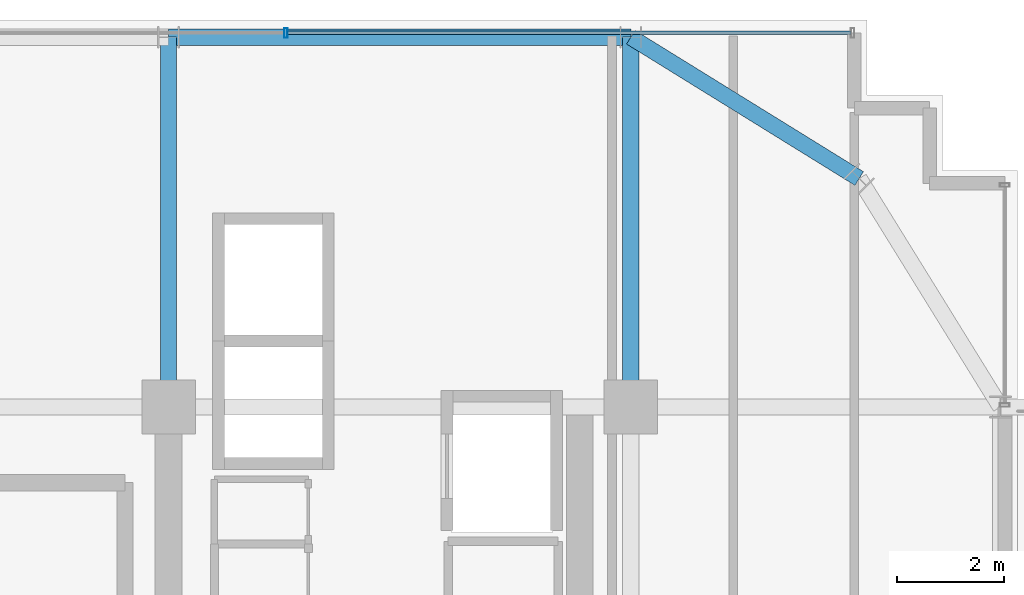
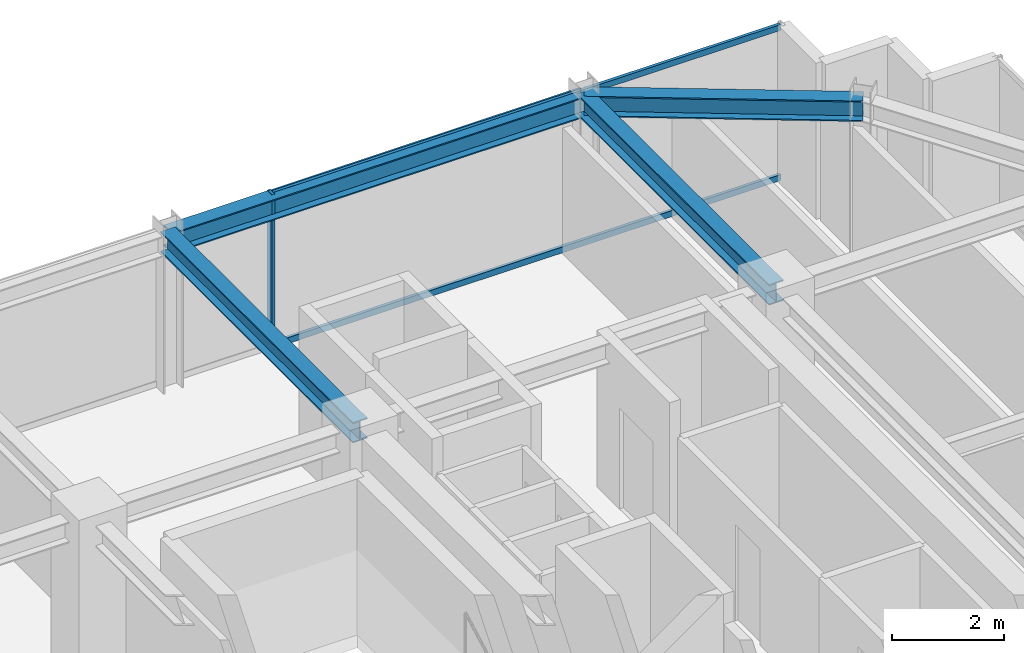
# One storey, part 27 of 36: 4 beams, 3 members, 1 element without a shape of its own.
"""IFC4 building model written with IfcOpenShell, lengths in metres."""

from ifc_helpers import new_model, si_unit, direction, frame, origin, origin_2d, place, context, subcontext, project, spatial, hollow_rectangle, i_section, extrude, source, transform, mapped, material, material_profile, profile_set, type_object, element, aggregate, save


model = new_model("IFC4")

# Units and contexts
model_context = context("Model", 3, precision=1e-05, world=origin(), true_north=direction((0.0, 1.0)))
body_context = subcontext(model_context, "Body", "Model", "MODEL_VIEW")
ifc_project = project(units=[si_unit("LENGTHUNIT", "METRE"), si_unit("AREAUNIT", "SQUARE_METRE"), si_unit("VOLUMEUNIT", "CUBIC_METRE"), si_unit("PLANEANGLEUNIT", "RADIAN"), si_unit("MASSUNIT", "GRAM", prefix="KILO")], contexts=[model_context])

# Site, building, storey
site_placement = place(None, origin())
site = spatial("IfcSite", under=ifc_project, at=site_placement, CompositionType="ELEMENT")
building_placement = place(site_placement, origin())
building = spatial("IfcBuilding", under=site, at=building_placement, Name="Nahalor Promenade Grand Hotel", CompositionType="ELEMENT")
storey_placement = place(building_placement, frame((0.0, 0.0, 223.39990234375)))
storey = spatial("IfcBuildingStorey", under=building, at=storey_placement, Name="L57", CompositionType="ELEMENT", Elevation=223.39990234375)

# Beams
ifc_material_1 = material(Name="Steel S355JR", Category="steel")
ifc_material_profile_1 = material_profile(ifc_material_1, i_section(OverallWidth=0.3, OverallDepth=0.45, WebThickness=0.014, FlangeThickness=0.026, at=origin_2d()), Name="HEB 450")
ifc_profile_set_1 = profile_set([ifc_material_profile_1], Name="Steel S355JR")
beam_type_1 = type_object("IfcBeamType", Name="Beam-Spandrel-HEB450", PredefinedType="SPANDREL", material=ifc_profile_set_1)
shared_shape_1 = source(origin(), body_context, "Body", "SweptSolid", [
    extrude(i_section(OverallWidth=0.3, OverallDepth=0.45, WebThickness=0.014, FlangeThickness=0.026, at=origin_2d()), origin(), (0.0, 0.0, 1.0), 8.60009765625),
])
beam_1_placement = place(storey_placement, frame((8.39990234375, 23.8798828125, 3.18505859375), z_axis=(1.0, 0.0, 0.0), x_axis=(0.0, 1.0, 0.0)))
element("IfcBeam", 1, at=beam_1_placement, inside=storey, type_object=beam_type_1, Name="BM-L57-SP-N-4", PredefinedType="SPANDREL", context=body_context, shape_type="MappedRepresentation", body=[
    mapped(shared_shape_1, transform((0.0, 0.0, 0.0), scale=1.0)),
])
shared_shape_2 = source(origin(), body_context, "Body", "SweptSolid", [
    extrude(i_section(OverallWidth=0.3, OverallDepth=0.45, WebThickness=0.014, FlangeThickness=0.026, at=origin_2d()), origin(), (0.0, 0.0, 1.0), 4.997802734375),
])
beam_2_placement = place(storey_placement, frame((17.0, 23.8798828125, 3.18505859375), z_axis=(0.850360908404, -0.526199891161, 0.0), x_axis=(0.526199891161, 0.850360908404, 0.0)))
element("IfcBeam", 2, at=beam_2_placement, inside=storey, type_object=beam_type_1, Name="BM-L57-SPC-NE-1", PredefinedType="SPANDREL", context=body_context, shape_type="MappedRepresentation", body=[
    mapped(shared_shape_2, transform((0.0, 0.0, 0.0), scale=1.0)),
])
ifc_material_profile_2 = material_profile(ifc_material_1, i_section(OverallWidth=0.3, OverallDepth=0.45, WebThickness=0.014, FlangeThickness=0.026, at=origin_2d()), Name="HEB 450")
ifc_profile_set_2 = profile_set([ifc_material_profile_2], Name="Steel S355JR")
beam_type_2 = type_object("IfcBeamType", Name="Beam-Girder-HEB450", PredefinedType="BEAM", material=ifc_profile_set_2)
shared_shape_3 = source(origin(), body_context, "Body", "SweptSolid", [
    extrude(i_section(OverallWidth=0.3, OverallDepth=0.45, WebThickness=0.014, FlangeThickness=0.026, at=origin_2d()), origin(), (0.0, 0.0, 1.0), 6.8798828125),
])
for number, where, z_axis, x_axis, name in (
    (3, (8.39990234375, 17.0, 3.18505859375), (0.0, 1.0, 0.0), (-1.0, 0.0, 0.0), "BM-L57-GY-4-4"),
    (4, (17.0, 17.0, 3.18505859375), (0.0, 1.0, 0.0), (-1.0, 0.0, 0.0), "BM-L57-GY-5-4"),
):
    element("IfcBeam", number, at=place(storey_placement, frame(where, z_axis=z_axis, x_axis=x_axis)), inside=storey, type_object=beam_type_2, Name=name, PredefinedType="BEAM", context=body_context, shape_type="MappedRepresentation", body=[
        mapped(shared_shape_3, transform((0.0, 0.0, 0.0), scale=1.0)),
    ])

# Curtain wall, members
ifc_material_2 = material(Name="Anodised Bronze Aluminium EN AW-6063 T6", Category="aluminium")
curtain_wall_type = type_object("IfcCurtainWallType", Name="CW2 Typical Hotel Flush Bronze Unitised Curtain Wall", PredefinedType="USERDEFINED", material=ifc_material_2)
curtain_wall_placement = place(storey_placement, origin())
curtain_wall = element("IfcCurtainWall", 5, at=curtain_wall_placement, inside=storey, type_object=curtain_wall_type, Name="L57 Curtain Wall CW-L57-N-1", ObjectType="UNITISED_CURTAIN_WALL", PredefinedType="USERDEFINED")
ifc_material_profile_3 = material_profile(ifc_material_2, hollow_rectangle(XDim=0.065, YDim=0.18, WallThickness=0.004, at=origin_2d()), Name="CWM 65x180x4")
ifc_profile_set_3 = profile_set([ifc_material_profile_3], Name="Anodised Bronze Aluminium EN AW-6063 T6")
member_type_1 = type_object("IfcMemberType", Name="CWM2 Typical Bronze Mullion 65x180", PredefinedType="MULLION", material=ifc_profile_set_3)
shared_shape_4 = source(origin(), body_context, "Body", "SweptSolid", [
    extrude(hollow_rectangle(XDim=0.065, YDim=0.18, WallThickness=0.004, at=origin_2d()), origin(), (0.0, 0.0, 1.0), 3.41015625),
])
member_1_placement = place(storey_placement, frame((10.580078125, 23.9599609375, 0.0), z_axis=(0.0, 0.0, 1.0), x_axis=(1.0, 0.0, 0.0)))
member_1 = element("IfcMember", 6, at=member_1_placement, type_object=member_type_1, Name="CW-L57-N-1 Mullion 3", PredefinedType="MULLION", context=body_context, shape_type="MappedRepresentation", body=[
    mapped(shared_shape_4, transform((0.0, 0.0, 0.0), scale=1.0)),
])
ifc_material_profile_4 = material_profile(ifc_material_2, hollow_rectangle(XDim=0.065, YDim=0.13, WallThickness=0.004, at=origin_2d()), Name="CWT 65x130x4")
ifc_profile_set_4 = profile_set([ifc_material_profile_4], Name="Anodised Bronze Aluminium EN AW-6063 T6")
member_type_2 = type_object("IfcMemberType", Name="CWT2 Typical Bronze Transom 65x130", PredefinedType="USERDEFINED", material=ifc_profile_set_4)
shared_shape_5 = source(origin(), body_context, "Body", "SweptSolid", [
    extrude(hollow_rectangle(XDim=0.065, YDim=0.13, WallThickness=0.004, at=origin_2d()), origin(), (0.0, 0.0, 1.0), 10.482421875),
])
member_2_placement = place(storey_placement, frame((10.612548828125, 23.9599609375, 0.065185546875), z_axis=(1.0, 0.0, 0.0), x_axis=(0.0, 1.0, 0.0)))
member_2 = element("IfcMember", 7, at=member_2_placement, type_object=member_type_2, Name="CW-L57-N-1 Transom 3-0", ObjectType="TRANSOM", PredefinedType="USERDEFINED", context=body_context, shape_type="MappedRepresentation", body=[
    mapped(shared_shape_5, transform((0.0, 0.0, 0.0), scale=1.0)),
])
member_3_placement = place(storey_placement, frame((10.612548828125, 23.9599609375, 3.34521484375), z_axis=(1.0, 0.0, 0.0), x_axis=(0.0, 1.0, 0.0)))
member_3 = element("IfcMember", 8, at=member_3_placement, type_object=member_type_2, Name="CW-L57-N-1 Transom 3-1", ObjectType="TRANSOM", PredefinedType="USERDEFINED", context=body_context, shape_type="MappedRepresentation", body=[
    mapped(shared_shape_5, transform((0.0, 0.0, 0.0), scale=1.0)),
])
aggregate(curtain_wall, [member_1, member_2, member_3])

save(model, "model.ifc")
